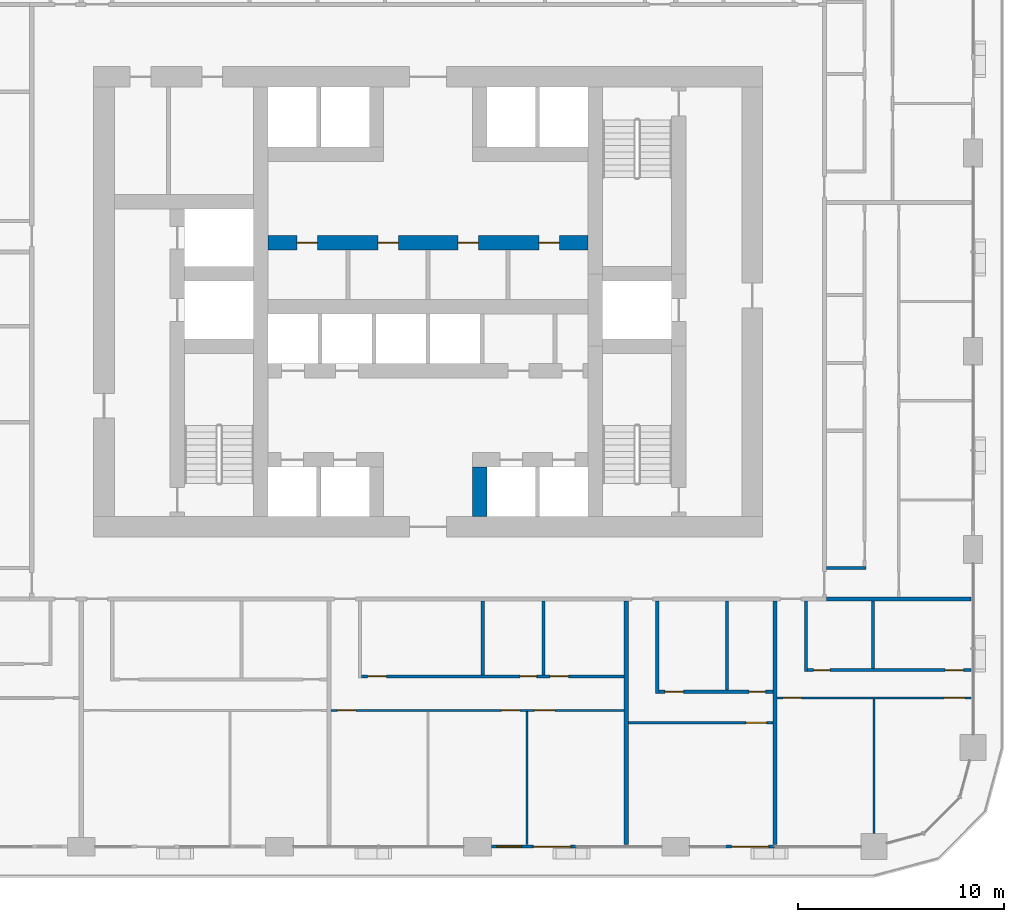
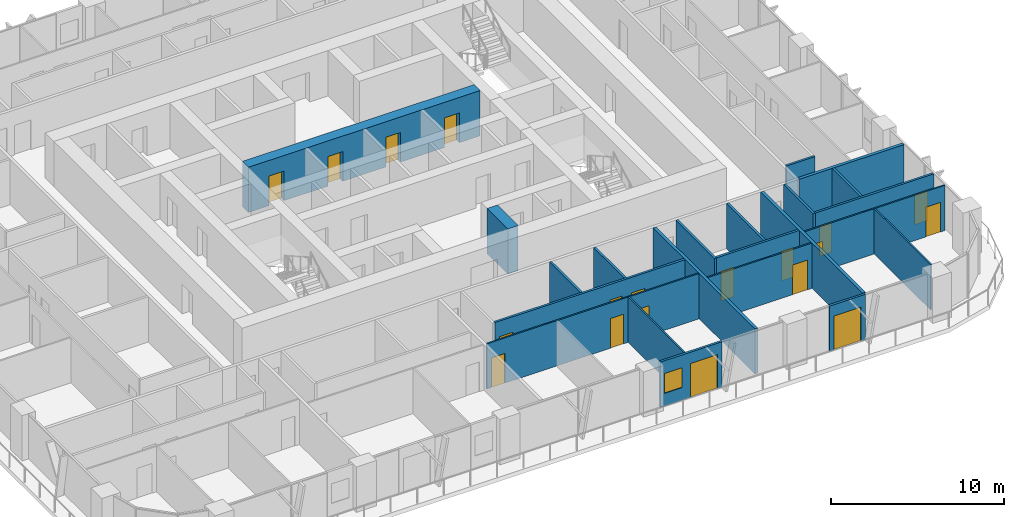
# One storey, part 11 of 21: 22 walls, 19 doors, 1 window, 20 openings.
"""IFC4 building model written with IfcOpenShell, lengths in metres."""

from ifc_helpers import new_model, si_unit, direction, frame, frame_2d, origin, place, context, subcontext, project, spatial, rectangle, extrude, material, layer, layer_set, type_object, element, fill, save


model = new_model("IFC4")

# Units and contexts
model_context = context("Model", 3, precision=1e-05, world=origin(), true_north=direction((0.0, 1.0)))
body_context = subcontext(model_context, "Body", "Model", "MODEL_VIEW")
ifc_project = project(units=[si_unit("LENGTHUNIT", "METRE"), si_unit("AREAUNIT", "SQUARE_METRE"), si_unit("VOLUMEUNIT", "CUBIC_METRE"), si_unit("PLANEANGLEUNIT", "RADIAN"), si_unit("MASSUNIT", "GRAM", prefix="KILO")], contexts=[model_context])

# Site, building, storey
site_placement = place(None, origin())
site = spatial("IfcSite", under=ifc_project, at=site_placement, CompositionType="ELEMENT")
building_placement = place(site_placement, origin())
building = spatial("IfcBuilding", under=site, at=building_placement, Name="Madar Terraces", CompositionType="ELEMENT")
storey_placement = place(building_placement, frame((0.0, 0.0, 36.39990234375)))
storey = spatial("IfcBuildingStorey", under=building, at=storey_placement, Name="L08", CompositionType="ELEMENT", Elevation=36.39990234375)

# Wall, openings, doors
ifc_material_1 = material(Name="Concrete C80/95", Category="concrete")
ifc_layer_1 = layer(ifc_material_1, 0.699951171875)
ifc_layer_set_1 = layer_set([ifc_layer_1], Name="Concrete C80/95 (CIW1 RC wall 700)")
wall_type_1 = type_object("IfcWallType", Name="CIW1 RC wall 700", PredefinedType="SHEAR", material=ifc_layer_set_1)
wall_1_placement = place(storey_placement, frame((23.449951171875, 29.25, 0.0), z_axis=(0.0, 0.0, 1.0), x_axis=(1.0, 0.0, 0.0)))
wall_1 = element("IfcWall", 1, at=wall_1_placement, inside=storey, type_object=wall_type_1, Name="CORE SHAFT WALL", PredefinedType="SHEAR", context=body_context, shape_type="SweptSolid", body=[
    extrude(rectangle(XDim=15.5, YDim=0.699951171875, at=frame_2d((7.75, 0.0))), origin(), (0.0, 0.0, 1.0), 3.2001953125),
])
opening_1_placement = place(wall_1_placement, frame((1.387451171875, 0.0, 0.0)))
opening_1 = element("IfcOpeningElement", 2, at=opening_1_placement, cuts=wall_1, Name="Opening KD2", PredefinedType="OPENING", context=body_context, shape_type="SweptSolid", body=[
    extrude(rectangle(XDim=1.0, YDim=2.10009765625, at=frame_2d((0.5, 1.050048828125))), frame((0.0, 0.35986328125, 0.0), z_axis=(0.0, -1.0, 0.0), x_axis=(1.0, 0.0, 0.0)), (0.0, 0.0, 1.0), 0.719970703125),
])
opening_2_placement = place(wall_1_placement, frame((5.3125, 0.0, 0.0)))
opening_2 = element("IfcOpeningElement", 3, at=opening_2_placement, cuts=wall_1, Name="Opening KD2", PredefinedType="OPENING", context=body_context, shape_type="SweptSolid", body=[
    extrude(rectangle(XDim=1.0, YDim=2.10009765625, at=frame_2d((0.5, 1.050048828125))), frame((0.0, 0.35986328125, 0.0), z_axis=(0.0, -1.0, 0.0), x_axis=(1.0, 0.0, 0.0)), (0.0, 0.0, 1.0), 0.719970703125),
])
opening_3_placement = place(wall_1_placement, frame((9.1875, 0.0, 0.0)))
opening_3 = element("IfcOpeningElement", 4, at=opening_3_placement, cuts=wall_1, Name="Opening KD2", PredefinedType="OPENING", context=body_context, shape_type="SweptSolid", body=[
    extrude(rectangle(XDim=1.0, YDim=2.10009765625, at=frame_2d((0.5, 1.050048828125))), frame((0.0, 0.35986328125, 0.0), z_axis=(0.0, -1.0, 0.0), x_axis=(1.0, 0.0, 0.0)), (0.0, 0.0, 1.0), 0.719970703125),
])
opening_4_placement = place(wall_1_placement, frame((13.112548828125, 0.0, 0.0)))
opening_4 = element("IfcOpeningElement", 5, at=opening_4_placement, cuts=wall_1, Name="Opening KD2", PredefinedType="OPENING", context=body_context, shape_type="SweptSolid", body=[
    extrude(rectangle(XDim=1.0, YDim=2.10009765625, at=frame_2d((0.5, 1.050048828125))), frame((0.0, 0.35986328125, 0.0), z_axis=(0.0, -1.0, 0.0), x_axis=(1.0, 0.0, 0.0)), (0.0, 0.0, 1.0), 0.719970703125),
])
ifc_material_2 = material(Name="Steel door leaf", Category="steel")
door_type_1 = type_object("IfcDoorType", Name="Service room door 1000 x 2100", OperationType="NOTDEFINED", PredefinedType="DOOR", material=ifc_material_2)
door_1_placement = place(opening_1_placement, origin())
door_1 = element("IfcDoor", 6, at=door_1_placement, inside=storey, type_object=door_type_1, Name="SERVICE ROOM DOOR", OperationType="SINGLE_SWING_LEFT", OverallHeight=2.10009765625, OverallWidth=1.0, PredefinedType="DOOR", context=body_context, shape_type="SweptSolid", body=[
    extrude(rectangle(XDim=1.0, YDim=2.10009765625, at=frame_2d((0.5, 1.050048828125))), frame((0.0, 0.02490234375, 0.0), z_axis=(0.0, -1.0, 0.0), x_axis=(1.0, 0.0, 0.0)), (0.0, 0.0, 1.0), 0.050048828125),
])
fill(opening_1, door_1)
door_2_placement = place(opening_2_placement, origin())
door_2 = element("IfcDoor", 7, at=door_2_placement, inside=storey, type_object=door_type_1, Name="SERVICE ROOM DOOR", OperationType="SINGLE_SWING_RIGHT", OverallHeight=2.10009765625, OverallWidth=1.0, PredefinedType="DOOR", context=body_context, shape_type="SweptSolid", body=[
    extrude(rectangle(XDim=1.0, YDim=2.10009765625, at=frame_2d((0.5, 1.050048828125))), frame((0.0, 0.02490234375, 0.0), z_axis=(0.0, -1.0, 0.0), x_axis=(1.0, 0.0, 0.0)), (0.0, 0.0, 1.0), 0.050048828125),
])
fill(opening_2, door_2)
door_3_placement = place(opening_3_placement, origin())
door_3 = element("IfcDoor", 8, at=door_3_placement, inside=storey, type_object=door_type_1, Name="SERVICE ROOM DOOR", OperationType="SINGLE_SWING_LEFT", OverallHeight=2.10009765625, OverallWidth=1.0, PredefinedType="DOOR", context=body_context, shape_type="SweptSolid", body=[
    extrude(rectangle(XDim=1.0, YDim=2.10009765625, at=frame_2d((0.5, 1.050048828125))), frame((0.0, 0.02490234375, 0.0), z_axis=(0.0, -1.0, 0.0), x_axis=(1.0, 0.0, 0.0)), (0.0, 0.0, 1.0), 0.050048828125),
])
fill(opening_3, door_3)
door_4_placement = place(opening_4_placement, origin())
door_4 = element("IfcDoor", 9, at=door_4_placement, inside=storey, type_object=door_type_1, Name="SERVICE ROOM DOOR", OperationType="SINGLE_SWING_RIGHT", OverallHeight=2.10009765625, OverallWidth=1.0, PredefinedType="DOOR", context=body_context, shape_type="SweptSolid", body=[
    extrude(rectangle(XDim=1.0, YDim=2.10009765625, at=frame_2d((0.5, 1.050048828125))), frame((0.0, 0.02490234375, 0.0), z_axis=(0.0, -1.0, 0.0), x_axis=(1.0, 0.0, 0.0)), (0.0, 0.0, 1.0), 0.050048828125),
])
fill(opening_4, door_4)

# Wall
wall_2_placement = place(storey_placement, frame((33.699951171875, 16.0, 0.0), z_axis=(0.0, 0.0, 1.0), x_axis=(0.0, 1.0, 0.0)))
element("IfcWall", 10, at=wall_2_placement, inside=storey, type_object=wall_type_1, Name="CORE SHAFT WALL", PredefinedType="SHEAR", context=body_context, shape_type="SweptSolid", body=[
    extrude(rectangle(XDim=2.39990234375, YDim=0.699951171875, at=frame_2d((1.199951171875, 0.0))), origin(), (0.0, 0.0, 1.0), 3.2001953125),
])

# Wall, openings, door, window
ifc_material_3 = material(Name="Aluminium composite panel, black, over insulated backing", Category="aluminium")
ifc_layer_2 = layer(ifc_material_3, 0.14990234375)
ifc_layer_set_2 = layer_set([ifc_layer_2], Name="Facade bay panel 150")
wall_type_2 = type_object("IfcWallType", Name="Facade bay panel 150", PredefinedType="SOLIDWALL", material=ifc_layer_set_2)
wall_3_placement = place(storey_placement, frame((34.27490234375, 0.0, 0.0), z_axis=(0.0, 0.0, 1.0), x_axis=(1.0, 0.0, 0.0)))
wall_3 = element("IfcWall", 11, at=wall_3_placement, inside=storey, type_object=wall_type_2, Name="Facade bay panel", PredefinedType="SOLIDWALL", context=body_context, shape_type="SweptSolid", body=[
    extrude(rectangle(XDim=4.125, YDim=0.14990234375, at=frame_2d((2.0625, 0.0))), origin(), (0.0, 0.0, 1.0), 3.2001953125),
])
opening_5_placement = place(wall_3_placement, frame((0.262451171875, 0.0, 0.89990234375)))
opening_5 = element("IfcOpeningElement", 12, at=opening_5_placement, cuts=wall_3, Name="Opening W1", PredefinedType="OPENING", context=body_context, shape_type="SweptSolid", body=[
    extrude(rectangle(XDim=1.199951171875, YDim=1.39990234375, at=frame_2d((0.60009765625, 0.699951171875))), frame((0.0, 0.0849609375, 0.0), z_axis=(0.0, -1.0, 0.0), x_axis=(1.0, 0.0, 0.0)), (0.0, 0.0, 1.0), 0.169921875),
])
opening_6_placement = place(wall_3_placement, frame((2.02490234375, 0.0, 0.0)))
opening_6 = element("IfcOpeningElement", 13, at=opening_6_placement, cuts=wall_3, Name="Opening ED1", PredefinedType="OPENING", context=body_context, shape_type="SweptSolid", body=[
    extrude(rectangle(XDim=1.800048828125, YDim=2.39990234375, at=frame_2d((0.89990234375, 1.199951171875))), frame((0.0, 0.0849609375, 0.0), z_axis=(0.0, -1.0, 0.0), x_axis=(1.0, 0.0, 0.0)), (0.0, 0.0, 1.0), 0.169921875),
])
ifc_material_4 = material(Name="Glass, clear, with black aluminium frame", Category="aluminium")
door_type_2 = type_object("IfcDoorType", Name="Balcony and terrace sliding door 1800 x 2400", OperationType="SLIDING_TO_LEFT", PredefinedType="DOOR", material=ifc_material_4)
door_5_placement = place(opening_6_placement, origin())
door_5 = element("IfcDoor", 14, at=door_5_placement, inside=storey, type_object=door_type_2, Name="Balcony door", OperationType="SLIDING_TO_RIGHT", OverallHeight=2.39990234375, OverallWidth=1.800048828125, PredefinedType="DOOR", context=body_context, shape_type="SweptSolid", body=[
    extrude(rectangle(XDim=1.800048828125, YDim=2.39990234375, at=frame_2d((0.89990234375, 1.199951171875))), frame((0.0, 0.02490234375, 0.0), z_axis=(0.0, -1.0, 0.0), x_axis=(1.0, 0.0, 0.0)), (0.0, 0.0, 1.0), 0.050048828125),
])
fill(opening_6, door_5)
ifc_material_5 = material(Name="Glass, clear, with black aluminium frame", Category="aluminium")
window_type = type_object("IfcWindowType", Name="Vent window 1200 x 1400", PartitioningType="SINGLE_PANEL", PredefinedType="WINDOW", material=ifc_material_5)
window_placement = place(opening_5_placement, origin())
window = element("IfcWindow", 15, at=window_placement, inside=storey, type_object=window_type, Name="Operable vent window", OverallHeight=1.39990234375, OverallWidth=1.199951171875, PartitioningType="SINGLE_PANEL", PredefinedType="WINDOW", context=body_context, shape_type="SweptSolid", body=[
    extrude(rectangle(XDim=1.199951171875, YDim=1.39990234375, at=frame_2d((0.60009765625, 0.699951171875))), frame((0.0, 0.030029296875, 0.0), z_axis=(0.0, -1.0, 0.0), x_axis=(1.0, 0.0, 0.0)), (0.0, 0.0, 1.0), 0.06005859375),
])
fill(opening_5, window)

# Wall, opening, door
wall_4_placement = place(storey_placement, frame((45.60009765625, 0.0, 0.0), z_axis=(0.0, 0.0, 1.0), x_axis=(1.0, 0.0, 0.0)))
wall_4 = element("IfcWall", 16, at=wall_4_placement, inside=storey, type_object=wall_type_2, Name="Facade bay panel", PredefinedType="SOLIDWALL", context=body_context, shape_type="SweptSolid", body=[
    extrude(rectangle(XDim=2.39990234375, YDim=0.14990234375, at=frame_2d((1.199951171875, 0.0))), origin(), (0.0, 0.0, 1.0), 3.2001953125),
])
opening_7_placement = place(wall_4_placement, frame((0.300048828125, 0.0, 0.0)))
opening_7 = element("IfcOpeningElement", 17, at=opening_7_placement, cuts=wall_4, Name="Opening ED1", PredefinedType="OPENING", context=body_context, shape_type="SweptSolid", body=[
    extrude(rectangle(XDim=1.800048828125, YDim=2.39990234375, at=frame_2d((0.89990234375, 1.199951171875))), frame((0.0, 0.0849609375, 0.0), z_axis=(0.0, -1.0, 0.0), x_axis=(1.0, 0.0, 0.0)), (0.0, 0.0, 1.0), 0.169921875),
])
door_6_placement = place(opening_7_placement, origin())
door_6 = element("IfcDoor", 18, at=door_6_placement, inside=storey, type_object=door_type_2, Name="Balcony door", OperationType="SLIDING_TO_LEFT", OverallHeight=2.39990234375, OverallWidth=1.800048828125, PredefinedType="DOOR", context=body_context, shape_type="SweptSolid", body=[
    extrude(rectangle(XDim=1.800048828125, YDim=2.39990234375, at=frame_2d((0.89990234375, 1.199951171875))), frame((0.0, 0.02490234375, 0.0), z_axis=(0.0, -1.0, 0.0), x_axis=(1.0, 0.0, 0.0)), (0.0, 0.0, 1.0), 0.050048828125),
])
fill(opening_7, door_6)

# Wall
ifc_material_6 = material(Name="Gypsum board on steel studs", Category="steel")
ifc_layer_3 = layer(ifc_material_6, 0.10009765625)
ifc_layer_set_3 = layer_set([ifc_layer_3], Name="Flat partition 100")
wall_type_3 = type_object("IfcWallType", Name="Flat partition 100", PredefinedType="PARTITIONING", material=ifc_layer_set_3)
wall_5_placement = place(storey_placement, frame((36.0, 6.550048828125, 0.0), z_axis=(0.0, 0.0, 1.0), x_axis=(0.0, -1.0, 0.0)))
element("IfcWall", 19, at=wall_5_placement, inside=storey, type_object=wall_type_3, Name="Flat partition 100", PredefinedType="PARTITIONING", context=body_context, shape_type="SweptSolid", body=[
    extrude(rectangle(XDim=6.449951171875, YDim=0.10009765625, at=frame_2d((3.22509765625, 0.0))), origin(), (0.0, 0.0, 1.0), 3.2001953125),
])

# Wall, openings, doors
wall_6_placement = place(storey_placement, frame((40.699951171875, 6.60009765625, 0.0), z_axis=(0.0, 0.0, 1.0), x_axis=(-1.0, 0.0, 0.0)))
wall_6 = element("IfcWall", 20, at=wall_6_placement, inside=storey, type_object=wall_type_3, Name="Flat partition 100", PredefinedType="PARTITIONING", context=body_context, shape_type="SweptSolid", body=[
    extrude(rectangle(XDim=14.199951171875, YDim=0.10009765625, at=frame_2d((7.10009765625, 0.0))), origin(), (0.0, 0.0, 1.0), 3.2001953125),
])
opening_8_placement = place(wall_6_placement, frame((13.0, 0.0, 0.0)))
opening_8 = element("IfcOpeningElement", 21, at=opening_8_placement, cuts=wall_6, Name="Opening D2", PredefinedType="OPENING", context=body_context, shape_type="SweptSolid", body=[
    extrude(rectangle(XDim=0.89990234375, YDim=2.10009765625, at=frame_2d((0.449951171875, 1.050048828125))), frame((0.0, 0.06005859375, 0.0), z_axis=(0.0, -1.0, 0.0), x_axis=(1.0, 0.0, 0.0)), (0.0, 0.0, 1.0), 0.1201171875),
])
opening_9_placement = place(wall_6_placement, frame((5.050048828125, 0.0, 0.0)))
opening_9 = element("IfcOpeningElement", 22, at=opening_9_placement, cuts=wall_6, Name="Opening D2", PredefinedType="OPENING", context=body_context, shape_type="SweptSolid", body=[
    extrude(rectangle(XDim=0.89990234375, YDim=2.10009765625, at=frame_2d((0.449951171875, 1.050048828125))), frame((0.0, 0.06005859375, 0.0), z_axis=(0.0, -1.0, 0.0), x_axis=(1.0, 0.0, 0.0)), (0.0, 0.0, 1.0), 0.1201171875),
])
opening_10_placement = place(wall_6_placement, frame((3.35009765625, 0.0, 0.0)))
opening_10 = element("IfcOpeningElement", 23, at=opening_10_placement, cuts=wall_6, Name="Opening D3", PredefinedType="OPENING", context=body_context, shape_type="SweptSolid", body=[
    extrude(rectangle(XDim=1.0, YDim=2.10009765625, at=frame_2d((0.5, 1.050048828125))), frame((0.0, 0.06005859375, 0.0), z_axis=(0.0, -1.0, 0.0), x_axis=(1.0, 0.0, 0.0)), (0.0, 0.0, 1.0), 0.1201171875),
])
ifc_material_7 = material(Name="Timber door leaf", Category="wood")
door_type_3 = type_object("IfcDoorType", Name="Flat living room door 1000", OperationType="NOTDEFINED", PredefinedType="DOOR", material=ifc_material_7)
door_7_placement = place(opening_10_placement, origin())
door_7 = element("IfcDoor", 24, at=door_7_placement, inside=storey, type_object=door_type_3, Name="Flat living room door 1000", OperationType="SINGLE_SWING_RIGHT", OverallHeight=2.10009765625, OverallWidth=1.0, PredefinedType="DOOR", context=body_context, shape_type="SweptSolid", body=[
    extrude(rectangle(XDim=1.0, YDim=2.10009765625, at=frame_2d((0.5, 1.050048828125))), frame((0.0, 0.02490234375, 0.0), z_axis=(0.0, -1.0, 0.0), x_axis=(1.0, 0.0, 0.0)), (0.0, 0.0, 1.0), 0.050048828125),
])
fill(opening_10, door_7)
ifc_material_8 = material(Name="Timber door leaf", Category="wood")
door_type_4 = type_object("IfcDoorType", Name="Flat room door 900", OperationType="NOTDEFINED", PredefinedType="DOOR", material=ifc_material_8)
door_8_placement = place(opening_8_placement, origin())
door_8 = element("IfcDoor", 25, at=door_8_placement, inside=storey, type_object=door_type_4, Name="Flat room door 900", OperationType="SINGLE_SWING_RIGHT", OverallHeight=2.10009765625, OverallWidth=0.89990234375, PredefinedType="DOOR", context=body_context, shape_type="SweptSolid", body=[
    extrude(rectangle(XDim=0.89990234375, YDim=2.10009765625, at=frame_2d((0.449951171875, 1.050048828125))), frame((0.0, 0.02490234375, 0.0), z_axis=(0.0, -1.0, 0.0), x_axis=(1.0, 0.0, 0.0)), (0.0, 0.0, 1.0), 0.050048828125),
])
fill(opening_8, door_8)
door_9_placement = place(opening_9_placement, origin())
door_9 = element("IfcDoor", 26, at=door_9_placement, inside=storey, type_object=door_type_4, Name="Flat room door 900", OperationType="SINGLE_SWING_LEFT", OverallHeight=2.10009765625, OverallWidth=0.89990234375, PredefinedType="DOOR", context=body_context, shape_type="SweptSolid", body=[
    extrude(rectangle(XDim=0.89990234375, YDim=2.10009765625, at=frame_2d((0.449951171875, 1.050048828125))), frame((0.0, 0.02490234375, 0.0), z_axis=(0.0, -1.0, 0.0), x_axis=(1.0, 0.0, 0.0)), (0.0, 0.0, 1.0), 0.050048828125),
])
fill(opening_9, door_9)

# Wall, opening, door
wall_7_placement = place(storey_placement, frame((47.89990234375, 6.0, 0.0), z_axis=(0.0, 0.0, 1.0), x_axis=(-1.0, 0.0, 0.0)))
wall_7 = element("IfcWall", 27, at=wall_7_placement, inside=storey, type_object=wall_type_3, Name="Flat partition 100", PredefinedType="PARTITIONING", context=body_context, shape_type="SweptSolid", body=[
    extrude(rectangle(XDim=7.0, YDim=0.10009765625, at=frame_2d((3.5, 0.0))), origin(), (0.0, 0.0, 1.0), 3.2001953125),
])
opening_11_placement = place(wall_7_placement, frame((0.300048828125, 0.0, 0.0)))
opening_11 = element("IfcOpeningElement", 28, at=opening_11_placement, cuts=wall_7, Name="Opening D3", PredefinedType="OPENING", context=body_context, shape_type="SweptSolid", body=[
    extrude(rectangle(XDim=1.0, YDim=2.10009765625, at=frame_2d((0.5, 1.050048828125))), frame((0.0, 0.06005859375, 0.0), z_axis=(0.0, -1.0, 0.0), x_axis=(1.0, 0.0, 0.0)), (0.0, 0.0, 1.0), 0.1201171875),
])
door_10_placement = place(opening_11_placement, origin())
door_10 = element("IfcDoor", 29, at=door_10_placement, inside=storey, type_object=door_type_3, Name="Flat living room door 1000", OperationType="SINGLE_SWING_LEFT", OverallHeight=2.10009765625, OverallWidth=1.0, PredefinedType="DOOR", context=body_context, shape_type="SweptSolid", body=[
    extrude(rectangle(XDim=1.0, YDim=2.10009765625, at=frame_2d((0.5, 1.050048828125))), frame((0.0, 0.02490234375, 0.0), z_axis=(0.0, -1.0, 0.0), x_axis=(1.0, 0.0, 0.0)), (0.0, 0.0, 1.0), 0.050048828125),
])
fill(opening_11, door_10)

# Wall
wall_8_placement = place(storey_placement, frame((52.800048828125, 7.14990234375, 0.0), z_axis=(0.0, 0.0, 1.0), x_axis=(0.0, -1.0, 0.0)))
element("IfcWall", 30, at=wall_8_placement, inside=storey, type_object=wall_type_3, Name="Flat partition 100", PredefinedType="PARTITIONING", context=body_context, shape_type="SweptSolid", body=[
    extrude(rectangle(XDim=6.52490234375, YDim=0.10009765625, at=frame_2d((3.262451171875, 0.0))), origin(), (0.0, 0.0, 1.0), 3.2001953125),
])

# Wall, openings, doors
wall_9_placement = place(storey_placement, frame((57.5, 7.199951171875, 0.0), z_axis=(0.0, 0.0, 1.0), x_axis=(-1.0, 0.0, 0.0)))
wall_9 = element("IfcWall", 31, at=wall_9_placement, inside=storey, type_object=wall_type_3, Name="Flat partition 100", PredefinedType="PARTITIONING", context=body_context, shape_type="SweptSolid", body=[
    extrude(rectangle(XDim=9.39990234375, YDim=0.10009765625, at=frame_2d((4.699951171875, 0.0))), origin(), (0.0, 0.0, 1.0), 3.2001953125),
])
opening_12_placement = place(wall_9_placement, frame((8.199951171875, 0.0, 0.0)))
opening_12 = element("IfcOpeningElement", 32, at=opening_12_placement, cuts=wall_9, Name="Opening D2", PredefinedType="OPENING", context=body_context, shape_type="SweptSolid", body=[
    extrude(rectangle(XDim=0.89990234375, YDim=2.10009765625, at=frame_2d((0.449951171875, 1.050048828125))), frame((0.0, 0.06005859375, 0.0), z_axis=(0.0, -1.0, 0.0), x_axis=(1.0, 0.0, 0.0)), (0.0, 0.0, 1.0), 0.1201171875),
])
opening_13_placement = place(wall_9_placement, frame((0.300048828125, 0.0, 0.0)))
opening_13 = element("IfcOpeningElement", 33, at=opening_13_placement, cuts=wall_9, Name="Opening D3", PredefinedType="OPENING", context=body_context, shape_type="SweptSolid", body=[
    extrude(rectangle(XDim=1.0, YDim=2.10009765625, at=frame_2d((0.5, 1.050048828125))), frame((0.0, 0.06005859375, 0.0), z_axis=(0.0, -1.0, 0.0), x_axis=(1.0, 0.0, 0.0)), (0.0, 0.0, 1.0), 0.1201171875),
])
door_11_placement = place(opening_13_placement, origin())
door_11 = element("IfcDoor", 34, at=door_11_placement, inside=storey, type_object=door_type_3, Name="Flat living room door 1000", OperationType="SINGLE_SWING_LEFT", OverallHeight=2.10009765625, OverallWidth=1.0, PredefinedType="DOOR", context=body_context, shape_type="SweptSolid", body=[
    extrude(rectangle(XDim=1.0, YDim=2.10009765625, at=frame_2d((0.5, 1.050048828125))), frame((0.0, 0.02490234375, 0.0), z_axis=(0.0, -1.0, 0.0), x_axis=(1.0, 0.0, 0.0)), (0.0, 0.0, 1.0), 0.050048828125),
])
fill(opening_13, door_11)
door_12_placement = place(opening_12_placement, origin())
door_12 = element("IfcDoor", 35, at=door_12_placement, inside=storey, type_object=door_type_4, Name="Flat room door 900", OperationType="SINGLE_SWING_RIGHT", OverallHeight=2.10009765625, OverallWidth=0.89990234375, PredefinedType="DOOR", context=body_context, shape_type="SweptSolid", body=[
    extrude(rectangle(XDim=0.89990234375, YDim=2.10009765625, at=frame_2d((0.449951171875, 1.050048828125))), frame((0.0, 0.02490234375, 0.0), z_axis=(0.0, -1.0, 0.0), x_axis=(1.0, 0.0, 0.0)), (0.0, 0.0, 1.0), 0.050048828125),
])
fill(opening_12, door_12)

# Walls
ifc_material_9 = material(Name="Lightweight blockwork", Category="masonry")
ifc_layer_4 = layer(ifc_material_9, 0.199951171875)
ifc_layer_set_4 = layer_set([ifc_layer_4], Name="Flat party and entrance wall 200")
wall_type_4 = type_object("IfcWallType", Name="Flat party and entrance wall 200", PredefinedType="PARTITIONING", material=ifc_layer_set_4)
for number, where, z_axis, x_axis, name in (
    (36, (40.800048828125, 11.89990234375, 0.0), (0.0, 0.0, 1.0), (0.0, -1.0, 0.0), "Flat party and entrance wall 200"),
    (37, (48.0, 11.89990234375, 0.0), (0.0, 0.0, 1.0), (0.0, -1.0, 0.0), "Flat party and entrance wall 200"),
):
    element("IfcWall", number, at=place(storey_placement, frame(where, z_axis=z_axis, x_axis=x_axis)), inside=storey, type_object=wall_type_4, Name=name, PredefinedType="PARTITIONING", context=body_context, shape_type="SweptSolid", body=[
        extrude(rectangle(XDim=11.7998046875, YDim=0.199951171875, at=frame_2d((5.89990234375, 0.0))), origin(), (0.0, 0.0, 1.0), 3.2001953125),
    ])
wall_10_placement = place(storey_placement, frame((50.5, 12.0, 0.0), z_axis=(0.0, 0.0, 1.0), x_axis=(1.0, 0.0, 0.0)))
element("IfcWall", 38, at=wall_10_placement, inside=storey, type_object=wall_type_4, Name="Flat party and entrance wall 200", PredefinedType="PARTITIONING", context=body_context, shape_type="SweptSolid", body=[
    extrude(rectangle(XDim=7.0, YDim=0.199951171875, at=frame_2d((3.5, 0.0))), origin(), (0.0, 0.0, 1.0), 3.2001953125),
])
ifc_material_10 = material(Name="Lightweight blockwork", Category="masonry")
ifc_layer_5 = layer(ifc_material_10, 0.14990234375)
ifc_layer_set_5 = layer_set([ifc_layer_5], Name="Flat wet-room partition 150")
wall_type_5 = type_object("IfcWallType", Name="Flat wet-room partition 150", PredefinedType="PARTITIONING", material=ifc_layer_set_5)
for number, where, z_axis, x_axis, name in (
    (39, (33.84814453125, 11.89990234375, 0.0), (0.0, 0.0, 1.0), (0.0, -1.0, 0.0), "Flat wet-room partition 150"),
    (40, (36.78466796875, 11.89990234375, 0.0), (0.0, 0.0, 1.0), (0.0, -1.0, 0.0), "Flat wet-room partition 150"),
):
    element("IfcWall", number, at=place(storey_placement, frame(where, z_axis=z_axis, x_axis=x_axis)), inside=storey, type_object=wall_type_5, Name=name, PredefinedType="PARTITIONING", context=body_context, shape_type="SweptSolid", body=[
        extrude(rectangle(XDim=3.574951171875, YDim=0.14990234375, at=frame_2d((1.78759765625, 0.0))), origin(), (0.0, 0.0, 1.0), 3.2001953125),
    ])

# Wall, openings, doors
wall_11_placement = place(storey_placement, frame((27.97509765625, 8.25, 0.0), z_axis=(0.0, 0.0, 1.0), x_axis=(1.0, 0.0, 0.0)))
wall_11 = element("IfcWall", 41, at=wall_11_placement, inside=storey, type_object=wall_type_5, Name="Flat wet-room partition 150", PredefinedType="PARTITIONING", context=body_context, shape_type="SweptSolid", body=[
    extrude(rectangle(XDim=12.724853515625, YDim=0.14990234375, at=frame_2d((6.3623046875, 0.0))), origin(), (0.0, 0.0, 1.0), 3.2001953125),
])
opening_14_placement = place(wall_11_placement, frame((0.300048828125, 0.0, 0.0)))
opening_14 = element("IfcOpeningElement", 42, at=opening_14_placement, cuts=wall_11, Name="Opening D2", PredefinedType="OPENING", context=body_context, shape_type="SweptSolid", body=[
    extrude(rectangle(XDim=0.89990234375, YDim=2.10009765625, at=frame_2d((0.449951171875, 1.050048828125))), frame((0.0, 0.0849609375, 0.0), z_axis=(0.0, -1.0, 0.0), x_axis=(1.0, 0.0, 0.0)), (0.0, 0.0, 1.0), 0.169921875),
])
opening_15_placement = place(wall_11_placement, frame((7.6845703125, 0.0, 0.0)))
opening_15 = element("IfcOpeningElement", 43, at=opening_15_placement, cuts=wall_11, Name="Opening D4", PredefinedType="OPENING", context=body_context, shape_type="SweptSolid", body=[
    extrude(rectangle(XDim=0.800048828125, YDim=2.10009765625, at=frame_2d((0.39990234375, 1.050048828125))), frame((0.0, 0.0849609375, 0.0), z_axis=(0.0, -1.0, 0.0), x_axis=(1.0, 0.0, 0.0)), (0.0, 0.0, 1.0), 0.169921875),
])
opening_16_placement = place(wall_11_placement, frame((9.134521484375, 0.0, 0.0)))
opening_16 = element("IfcOpeningElement", 44, at=opening_16_placement, cuts=wall_11, Name="Opening D5", PredefinedType="OPENING", context=body_context, shape_type="SweptSolid", body=[
    extrude(rectangle(XDim=0.89990234375, YDim=2.10009765625, at=frame_2d((0.449951171875, 1.050048828125))), frame((0.0, 0.0849609375, 0.0), z_axis=(0.0, -1.0, 0.0), x_axis=(1.0, 0.0, 0.0)), (0.0, 0.0, 1.0), 0.169921875),
])
ifc_material_11 = material(Name="Timber door leaf", Category="wood")
door_type_5 = type_object("IfcDoorType", Name="Flat accessible bathroom door 900", OperationType="NOTDEFINED", PredefinedType="DOOR", material=ifc_material_11)
door_13_placement = place(opening_16_placement, origin())
door_13 = element("IfcDoor", 45, at=door_13_placement, inside=storey, type_object=door_type_5, Name="Flat accessible bathroom door 900", OperationType="SINGLE_SWING_LEFT", OverallHeight=2.10009765625, OverallWidth=0.89990234375, PredefinedType="DOOR", context=body_context, shape_type="SweptSolid", body=[
    extrude(rectangle(XDim=0.89990234375, YDim=2.10009765625, at=frame_2d((0.449951171875, 1.050048828125))), frame((0.0, 0.02490234375, 0.0), z_axis=(0.0, -1.0, 0.0), x_axis=(1.0, 0.0, 0.0)), (0.0, 0.0, 1.0), 0.050048828125),
])
fill(opening_16, door_13)
ifc_material_12 = material(Name="Timber door leaf", Category="wood")
door_type_6 = type_object("IfcDoorType", Name="Flat bathroom door 800", OperationType="NOTDEFINED", PredefinedType="DOOR", material=ifc_material_12)
door_14_placement = place(opening_15_placement, origin())
door_14 = element("IfcDoor", 46, at=door_14_placement, inside=storey, type_object=door_type_6, Name="Flat bathroom door 800", OperationType="SINGLE_SWING_RIGHT", OverallHeight=2.10009765625, OverallWidth=0.800048828125, PredefinedType="DOOR", context=body_context, shape_type="SweptSolid", body=[
    extrude(rectangle(XDim=0.800048828125, YDim=2.10009765625, at=frame_2d((0.39990234375, 1.050048828125))), frame((0.0, 0.02490234375, 0.0), z_axis=(0.0, -1.0, 0.0), x_axis=(1.0, 0.0, 0.0)), (0.0, 0.0, 1.0), 0.050048828125),
])
fill(opening_15, door_14)
door_15_placement = place(opening_14_placement, origin())
door_15 = element("IfcDoor", 47, at=door_15_placement, inside=storey, type_object=door_type_4, Name="Flat room door 900", OperationType="SINGLE_SWING_LEFT", OverallHeight=2.10009765625, OverallWidth=0.89990234375, PredefinedType="DOOR", context=body_context, shape_type="SweptSolid", body=[
    extrude(rectangle(XDim=0.89990234375, YDim=2.10009765625, at=frame_2d((0.449951171875, 1.050048828125))), frame((0.0, 0.02490234375, 0.0), z_axis=(0.0, -1.0, 0.0), x_axis=(1.0, 0.0, 0.0)), (0.0, 0.0, 1.0), 0.050048828125),
])
fill(opening_14, door_15)

# Walls
wall_12_placement = place(storey_placement, frame((45.68994140625, 11.89990234375, 0.0), z_axis=(0.0, 0.0, 1.0), x_axis=(0.0, -1.0, 0.0)))
element("IfcWall", 48, at=wall_12_placement, inside=storey, type_object=wall_type_5, Name="Flat wet-room partition 150", PredefinedType="PARTITIONING", context=body_context, shape_type="SweptSolid", body=[
    extrude(rectangle(XDim=4.324951171875, YDim=0.14990234375, at=frame_2d((2.16259765625, 0.0))), origin(), (0.0, 0.0, 1.0), 3.2001953125),
])
wall_13_placement = place(storey_placement, frame((42.300048828125, 11.89990234375, 0.0), z_axis=(0.0, 0.0, 1.0), x_axis=(0.0, -1.0, 0.0)))
element("IfcWall", 49, at=wall_13_placement, inside=storey, type_object=wall_type_5, Name="Flat wet-room partition 150", PredefinedType="PARTITIONING", context=body_context, shape_type="SweptSolid", body=[
    extrude(rectangle(XDim=4.474853515625, YDim=0.14990234375, at=frame_2d((2.2373046875, 0.0))), origin(), (0.0, 0.0, 1.0), 3.2001953125),
])

# Wall, openings, doors
wall_14_placement = place(storey_placement, frame((42.375, 7.5, 0.0), z_axis=(0.0, 0.0, 1.0), x_axis=(1.0, 0.0, 0.0)))
wall_14 = element("IfcWall", 50, at=wall_14_placement, inside=storey, type_object=wall_type_5, Name="Flat wet-room partition 150", PredefinedType="PARTITIONING", context=body_context, shape_type="SweptSolid", body=[
    extrude(rectangle(XDim=5.52490234375, YDim=0.14990234375, at=frame_2d((2.762451171875, 0.0))), origin(), (0.0, 0.0, 1.0), 3.2001953125),
])
opening_17_placement = place(wall_14_placement, frame((0.300048828125, 0.0, 0.0)))
opening_17 = element("IfcOpeningElement", 51, at=opening_17_placement, cuts=wall_14, Name="Opening D2", PredefinedType="OPENING", context=body_context, shape_type="SweptSolid", body=[
    extrude(rectangle(XDim=0.89990234375, YDim=2.10009765625, at=frame_2d((0.449951171875, 1.050048828125))), frame((0.0, 0.0849609375, 0.0), z_axis=(0.0, -1.0, 0.0), x_axis=(1.0, 0.0, 0.0)), (0.0, 0.0, 1.0), 0.169921875),
])
opening_18_placement = place(wall_14_placement, frame((4.375, 0.0, 0.0)))
opening_18 = element("IfcOpeningElement", 52, at=opening_18_placement, cuts=wall_14, Name="Opening D4", PredefinedType="OPENING", context=body_context, shape_type="SweptSolid", body=[
    extrude(rectangle(XDim=0.800048828125, YDim=2.10009765625, at=frame_2d((0.39990234375, 1.050048828125))), frame((0.0, 0.0849609375, 0.0), z_axis=(0.0, -1.0, 0.0), x_axis=(1.0, 0.0, 0.0)), (0.0, 0.0, 1.0), 0.169921875),
])
door_16_placement = place(opening_18_placement, origin())
door_16 = element("IfcDoor", 53, at=door_16_placement, inside=storey, type_object=door_type_6, Name="Flat bathroom door 800", OperationType="SINGLE_SWING_RIGHT", OverallHeight=2.10009765625, OverallWidth=0.800048828125, PredefinedType="DOOR", context=body_context, shape_type="SweptSolid", body=[
    extrude(rectangle(XDim=0.800048828125, YDim=2.10009765625, at=frame_2d((0.39990234375, 1.050048828125))), frame((0.0, 0.02490234375, 0.0), z_axis=(0.0, -1.0, 0.0), x_axis=(1.0, 0.0, 0.0)), (0.0, 0.0, 1.0), 0.050048828125),
])
fill(opening_18, door_16)
door_17_placement = place(opening_17_placement, origin())
door_17 = element("IfcDoor", 54, at=door_17_placement, inside=storey, type_object=door_type_4, Name="Flat room door 900", OperationType="SINGLE_SWING_LEFT", OverallHeight=2.10009765625, OverallWidth=0.89990234375, PredefinedType="DOOR", context=body_context, shape_type="SweptSolid", body=[
    extrude(rectangle(XDim=0.89990234375, YDim=2.10009765625, at=frame_2d((0.449951171875, 1.050048828125))), frame((0.0, 0.02490234375, 0.0), z_axis=(0.0, -1.0, 0.0), x_axis=(1.0, 0.0, 0.0)), (0.0, 0.0, 1.0), 0.050048828125),
])
fill(opening_17, door_17)

# Walls
wall_15_placement = place(storey_placement, frame((52.7451171875, 11.89990234375, 0.0), z_axis=(0.0, 0.0, 1.0), x_axis=(0.0, -1.0, 0.0)))
element("IfcWall", 55, at=wall_15_placement, inside=storey, type_object=wall_type_5, Name="Flat wet-room partition 150", PredefinedType="PARTITIONING", context=body_context, shape_type="SweptSolid", body=[
    extrude(rectangle(XDim=3.27490234375, YDim=0.14990234375, at=frame_2d((1.637451171875, 0.0))), origin(), (0.0, 0.0, 1.0), 3.2001953125),
])
wall_16_placement = place(storey_placement, frame((49.5, 11.89990234375, 0.0), z_axis=(0.0, 0.0, 1.0), x_axis=(0.0, -1.0, 0.0)))
element("IfcWall", 56, at=wall_16_placement, inside=storey, type_object=wall_type_5, Name="Flat wet-room partition 150", PredefinedType="PARTITIONING", context=body_context, shape_type="SweptSolid", body=[
    extrude(rectangle(XDim=3.4248046875, YDim=0.14990234375, at=frame_2d((1.71240234375, 0.0))), origin(), (0.0, 0.0, 1.0), 3.2001953125),
])

# Wall, openings, doors
wall_17_placement = place(storey_placement, frame((49.574951171875, 8.550048828125, 0.0), z_axis=(0.0, 0.0, 1.0), x_axis=(1.0, 0.0, 0.0)))
wall_17 = element("IfcWall", 57, at=wall_17_placement, inside=storey, type_object=wall_type_5, Name="Flat wet-room partition 150", PredefinedType="PARTITIONING", context=body_context, shape_type="SweptSolid", body=[
    extrude(rectangle(XDim=7.925048828125, YDim=0.14990234375, at=frame_2d((3.96240234375, 0.0))), origin(), (0.0, 0.0, 1.0), 3.2001953125),
])
opening_19_placement = place(wall_17_placement, frame((0.300048828125, 0.0, 0.0)))
opening_19 = element("IfcOpeningElement", 58, at=opening_19_placement, cuts=wall_17, Name="Opening D4", PredefinedType="OPENING", context=body_context, shape_type="SweptSolid", body=[
    extrude(rectangle(XDim=0.800048828125, YDim=2.10009765625, at=frame_2d((0.39990234375, 1.050048828125))), frame((0.0, 0.0849609375, 0.0), z_axis=(0.0, -1.0, 0.0), x_axis=(1.0, 0.0, 0.0)), (0.0, 0.0, 1.0), 0.169921875),
])
opening_20_placement = place(wall_17_placement, frame((6.675048828125, 0.0, 0.0)))
opening_20 = element("IfcOpeningElement", 59, at=opening_20_placement, cuts=wall_17, Name="Opening D2", PredefinedType="OPENING", context=body_context, shape_type="SweptSolid", body=[
    extrude(rectangle(XDim=0.89990234375, YDim=2.10009765625, at=frame_2d((0.449951171875, 1.050048828125))), frame((0.0, 0.0849609375, 0.0), z_axis=(0.0, -1.0, 0.0), x_axis=(1.0, 0.0, 0.0)), (0.0, 0.0, 1.0), 0.169921875),
])
door_18_placement = place(opening_19_placement, origin())
door_18 = element("IfcDoor", 60, at=door_18_placement, inside=storey, type_object=door_type_6, Name="Flat bathroom door 800", OperationType="SINGLE_SWING_LEFT", OverallHeight=2.10009765625, OverallWidth=0.800048828125, PredefinedType="DOOR", context=body_context, shape_type="SweptSolid", body=[
    extrude(rectangle(XDim=0.800048828125, YDim=2.10009765625, at=frame_2d((0.39990234375, 1.050048828125))), frame((0.0, 0.02490234375, 0.0), z_axis=(0.0, -1.0, 0.0), x_axis=(1.0, 0.0, 0.0)), (0.0, 0.0, 1.0), 0.050048828125),
])
fill(opening_19, door_18)
door_19_placement = place(opening_20_placement, origin())
door_19 = element("IfcDoor", 61, at=door_19_placement, inside=storey, type_object=door_type_4, Name="Flat room door 900", OperationType="SINGLE_SWING_RIGHT", OverallHeight=2.10009765625, OverallWidth=0.89990234375, PredefinedType="DOOR", context=body_context, shape_type="SweptSolid", body=[
    extrude(rectangle(XDim=0.89990234375, YDim=2.10009765625, at=frame_2d((0.449951171875, 1.050048828125))), frame((0.0, 0.02490234375, 0.0), z_axis=(0.0, -1.0, 0.0), x_axis=(1.0, 0.0, 0.0)), (0.0, 0.0, 1.0), 0.050048828125),
])
fill(opening_20, door_19)

# Wall
wall_18_placement = place(storey_placement, frame((50.5, 13.5, 0.0), z_axis=(0.0, 0.0, 1.0), x_axis=(1.0, 0.0, 0.0)))
element("IfcWall", 62, at=wall_18_placement, inside=storey, type_object=wall_type_5, Name="Flat wet-room partition 150", PredefinedType="PARTITIONING", context=body_context, shape_type="SweptSolid", body=[
    extrude(rectangle(XDim=1.925048828125, YDim=0.14990234375, at=frame_2d((0.96240234375, 0.0))), origin(), (0.0, 0.0, 1.0), 3.2001953125),
])

save(model, "model.ifc")
